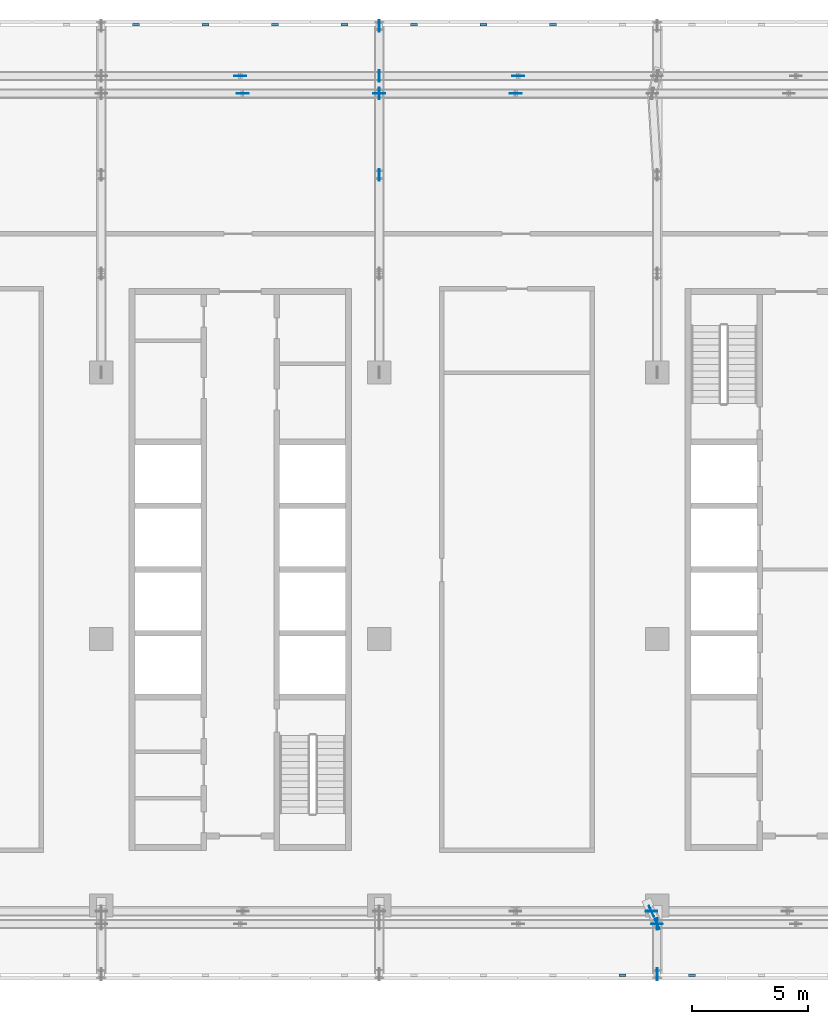
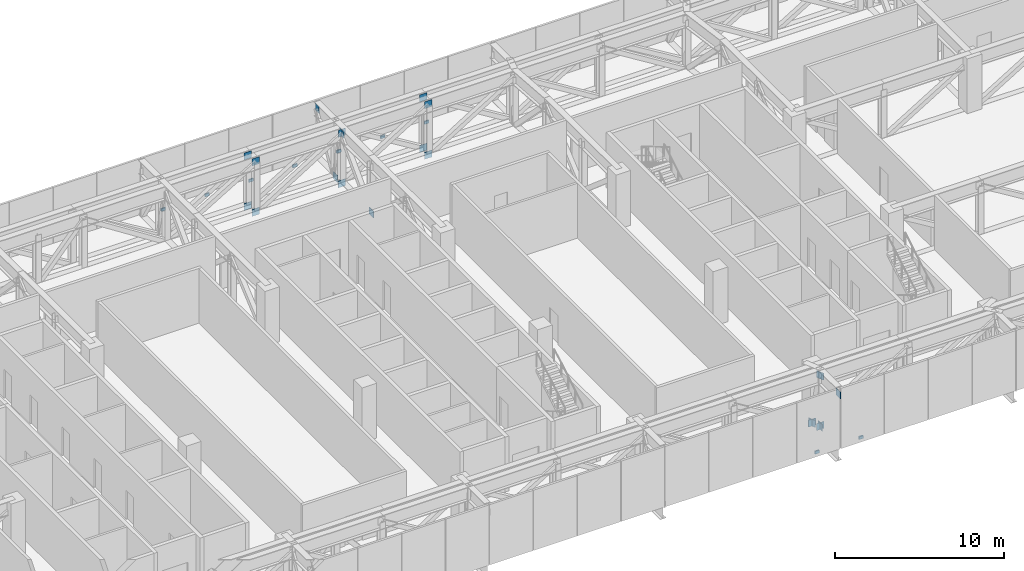
# One storey, part 20 of 29: 29 discrete accessories.
"""IFC4 building model written with IfcOpenShell, lengths in metres."""

from ifc_helpers import new_model, si_unit, direction, frame, origin, origin_2d, place, context, subcontext, project, spatial, rectangle, extrude, material, layer, layer_set, type_object, element, save


model = new_model("IFC4")

# Units and contexts
model_context = context("Model", 3, precision=1e-05, world=origin(), true_north=direction((0.0, 1.0)))
body_context = subcontext(model_context, "Body", "Model", "MODEL_VIEW")
ifc_project = project(units=[si_unit("LENGTHUNIT", "METRE"), si_unit("AREAUNIT", "SQUARE_METRE"), si_unit("VOLUMEUNIT", "CUBIC_METRE"), si_unit("PLANEANGLEUNIT", "RADIAN"), si_unit("MASSUNIT", "GRAM", prefix="KILO")], contexts=[model_context])

# Site, building, storey
site_placement = place(None, origin())
site = spatial("IfcSite", under=ifc_project, at=site_placement, CompositionType="ELEMENT")
building_placement = place(site_placement, origin())
building = spatial("IfcBuilding", under=site, at=building_placement, Name="Mahtab Terrace Research Tower", CompositionType="ELEMENT")
storey_placement = place(building_placement, frame((0.0, 0.0, 259.0)))
storey = spatial("IfcBuildingStorey", under=building, at=storey_placement, Name="L63", CompositionType="ELEMENT", Elevation=259.0)

# Discrete accessories
ifc_material_1 = material(Name="Black anodised aluminium", Category="aluminium")
discrete_accessory_type_1 = type_object("IfcDiscreteAccessoryType", Name="Facade bracket", PredefinedType="BRACKET", material=ifc_material_1)
for number, where, z_axis, x_axis, name in (
    (1, (16.5, -14.51806640625, -0.2998046875), (0.0, 0.0, 1.0), (1.0, 0.0, 0.0), "Louvre bracket L63 19"),
    (2, (19.5, -14.51806640625, -0.2998046875), (0.0, 0.0, 1.0), (1.0, 0.0, 0.0), "Louvre bracket L63 20"),
    (3, (13.5, 26.51806640625, -0.2998046875), (0.0, 0.0, 1.0), (-1.0, 0.0, 0.0), "Louvre bracket L63 59"),
    (4, (10.5, 26.51806640625, -0.2998046875), (0.0, 0.0, 1.0), (-1.0, 0.0, 0.0), "Louvre bracket L63 60"),
    (5, (7.5, 26.51806640625, -0.2998046875), (0.0, 0.0, 1.0), (-1.0, 0.0, 0.0), "Louvre bracket L63 61"),
    (6, (4.5, 26.51806640625, -0.2998046875), (0.0, 0.0, 1.0), (-1.0, 0.0, 0.0), "Louvre bracket L63 62"),
    (7, (1.5, 26.51806640625, -0.2998046875), (0.0, 0.0, 1.0), (-1.0, 0.0, 0.0), "Louvre bracket L63 63"),
    (8, (-1.5, 26.51806640625, -0.2998046875), (0.0, 0.0, 1.0), (-1.0, 0.0, 0.0), "Louvre bracket L63 64"),
    (9, (-4.5, 26.51806640625, -0.2998046875), (0.0, 0.0, 1.0), (-1.0, 0.0, 0.0), "Louvre bracket L63 65"),
):
    element("IfcDiscreteAccessory", number, at=place(storey_placement, frame(where, z_axis=z_axis, x_axis=x_axis)), inside=storey, type_object=discrete_accessory_type_1, Name=name, PredefinedType="BRACKET", context=body_context, shape_type="SweptSolid", body=[
        extrude(rectangle(XDim=0.300048828125, YDim=0.090087890625, at=origin_2d()), origin(), (0.0, 0.0, 1.0), 0.199951171875),
    ])
ifc_material_2 = material(Name="Steel ASTM A992 Gr 50", Category="steel")
ifc_layer = layer(ifc_material_2, 0.030029296875)
ifc_layer_set = layer_set([ifc_layer], Name="Gusset plate 500x500x30")
discrete_accessory_type_2 = type_object("IfcDiscreteAccessoryType", Name="Gusset plate 500x500x30", PredefinedType="USERDEFINED", material=ifc_layer_set)
for number, where, z_axis, x_axis, name in (
    (10, (0.0, 24.306884765625, -0.44677734375), (0.0, 0.0, 1.0), (1.0, 0.0, 0.0), "Gusset plate"),
    (11, (0.0, 24.306884765625, 3.209716796875), (0.0, 0.0, 1.0), (1.0, 0.0, 0.0), "Gusset plate"),
    (12, (0.10595703125, 23.5458984375, 3.209716796875), (0.0, 0.0, 1.0), (1.0, 0.0, 0.0), "Gusset plate"),
    (13, (0.10595703125, 23.5458984375, -0.44677734375), (0.0, 0.0, 1.0), (1.0, 0.0, 0.0), "Gusset plate"),
    (14, (6.0, 23.5458984375, -0.44677734375), (0.0, 0.0, 1.0), (1.0, 0.0, 0.0), "Gusset plate"),
    (15, (6.0, 23.5458984375, 3.209716796875), (0.0, 0.0, 1.0), (1.0, 0.0, 0.0), "Gusset plate"),
    (16, (11.89404296875, 23.5458984375, -0.44677734375), (0.0, 0.0, 1.0), (1.0, 0.0, 0.0), "Gusset plate"),
    (17, (11.89404296875, 23.5458984375, 3.209716796875), (0.0, 0.0, 1.0), (1.0, 0.0, 0.0), "Gusset plate"),
    (18, (12.0, 24.306884765625, -0.44677734375), (0.0, 0.0, 1.0), (1.0, 0.0, 0.0), "Gusset plate"),
    (19, (12.0, 24.306884765625, 3.209716796875), (0.0, 0.0, 1.0), (1.0, 0.0, 0.0), "Gusset plate"),
    (20, (17.7548828125, -11.758056640625, -0.44677734375), (0.0, 0.0, 1.0), (1.0, 0.0, 0.0), "Gusset plate"),
    (21, (18.0, -12.306884765625, -0.44677734375), (0.0, 0.0, 1.0), (1.0, 0.0, 0.0), "Gusset plate"),
    (22, (6.0, 20.0380859375, -0.44677734375), (0.0, 0.0, 1.0), (0.0, 1.0, 0.0), "Gusset plate"),
    (23, (6.0, 23.5458984375, 3.209716796875), (0.0, 0.0, 1.0), (0.0, 1.0, 0.0), "Gusset plate"),
    (24, (6.0, 24.306884765625, -0.44677734375), (0.0, 0.0, 1.0), (0.0, 1.0, 0.0), "Gusset plate"),
    (25, (6.0, 26.472900390625, 3.209716796875), (0.0, 0.0, 1.0), (0.0, 1.0, 0.0), "Gusset plate"),
    (26, (18.0, -14.472900390625, 3.209716796875), (0.0, 0.0, 1.0), (0.0, 1.0, 0.0), "Gusset plate"),
    (27, (18.0, -12.306884765625, -0.44677734375), (0.0, 0.0, 1.0), (0.0, 1.0, 0.0), "Gusset plate"),
    (28, (17.7548828125, -11.758056640625, -0.44677734375), (0.0, 0.0, 1.0), (-0.407533706906, 0.913190165155, 0.0), "Gusset plate"),
    (29, (18.0, -12.306884765625, 3.209716796875), (0.0, 0.0, 1.0), (-0.407533706906, 0.913190165155, 0.0), "Gusset plate"),
):
    element("IfcDiscreteAccessory", number, at=place(storey_placement, frame(where, z_axis=z_axis, x_axis=x_axis)), inside=storey, type_object=discrete_accessory_type_2, Name=name, ObjectType="GUSSET PLATE", PredefinedType="USERDEFINED", context=body_context, shape_type="SweptSolid", body=[
        extrude(rectangle(XDim=0.5, YDim=0.030029296875, at=origin_2d()), origin(), (0.0, 0.0, 1.0), 0.5),
    ])

save(model, "model.ifc")
